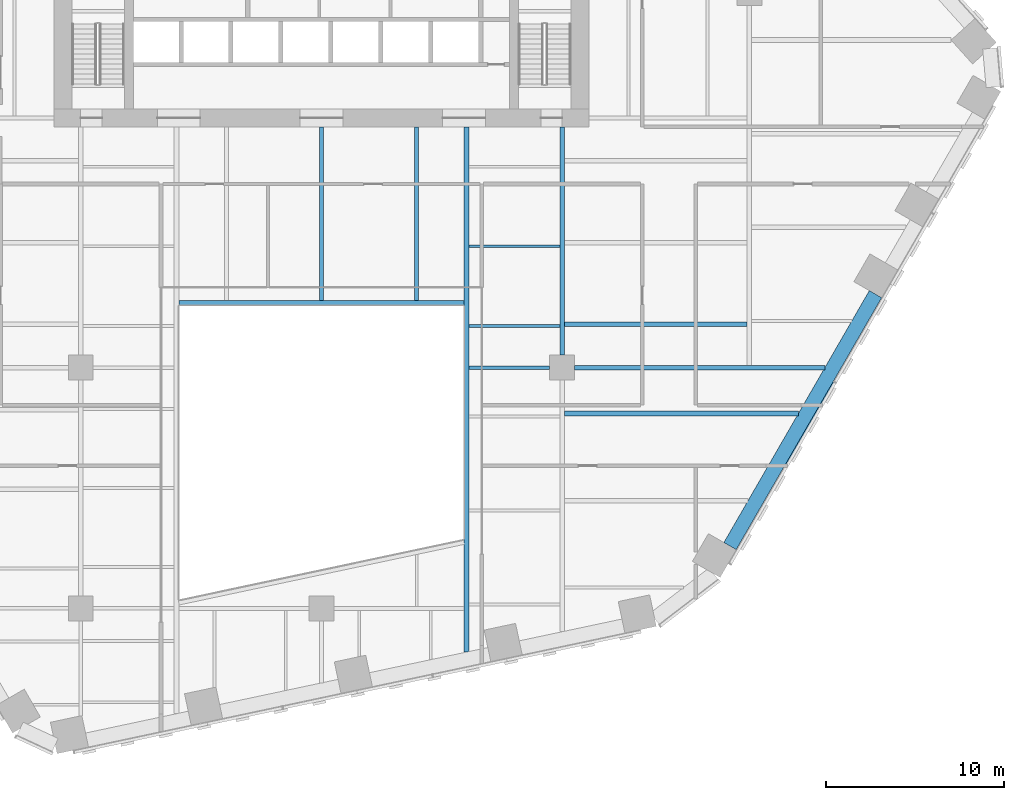
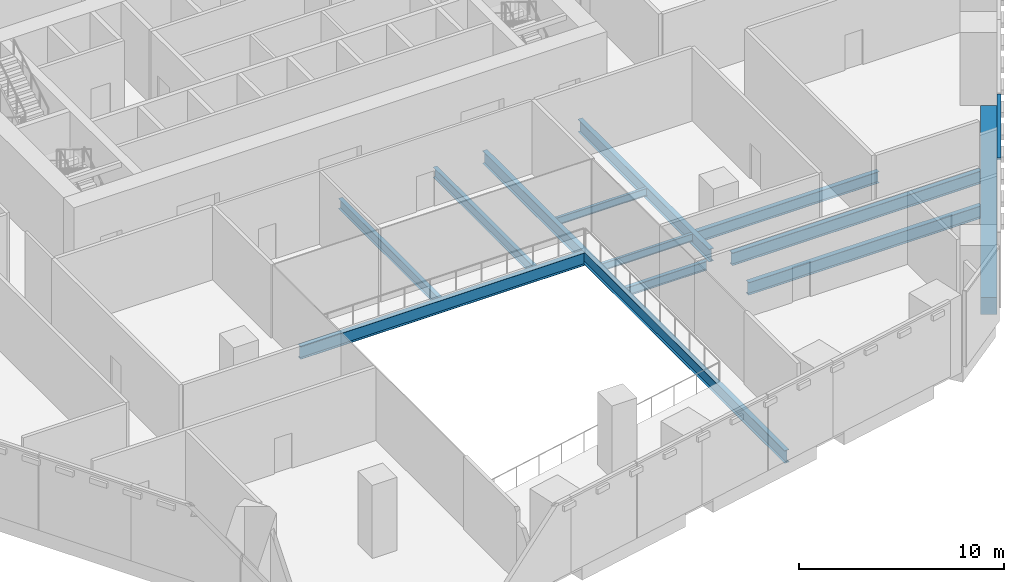
# One storey, part 6 of 19: 12 beams, 1 member, 1 element without a shape of its own.
"""IFC4 building model written with IfcOpenShell, lengths in metres."""

from ifc_helpers import new_model, si_unit, direction, frame, origin, origin_2d, place, context, subcontext, project, spatial, rectangle, i_section, extrude, material, layer, layer_set, material_profile, profile_set, type_object, element, aggregate, save


model = new_model("IFC4")

# Units and contexts
model_context = context("Model", 3, precision=1e-05, world=origin(), true_north=direction((0.0, 1.0)))
body_context = subcontext(model_context, "Body", "Model", "MODEL_VIEW")
ifc_project = project(units=[si_unit("LENGTHUNIT", "METRE"), si_unit("AREAUNIT", "SQUARE_METRE"), si_unit("VOLUMEUNIT", "CUBIC_METRE"), si_unit("PLANEANGLEUNIT", "RADIAN"), si_unit("MASSUNIT", "GRAM", prefix="KILO")], contexts=[model_context])

# Site, building, storey
site_placement = place(None, origin())
site = spatial("IfcSite", under=ifc_project, at=site_placement, CompositionType="ELEMENT")
building_placement = place(site_placement, origin())
building = spatial("IfcBuilding", under=site, at=building_placement, Name="Isthmus Gate Tower", CompositionType="ELEMENT")
storey_placement = place(building_placement, frame((0.0, 0.0, 76.14990234375)))
storey = spatial("IfcBuildingStorey", under=building, at=storey_placement, Name="L17", CompositionType="ELEMENT", Elevation=76.14990234375)

# Curtain wall, member
ifc_material_1 = material(Name="Aluminium, pale champagne anodised", Category="aluminium")
ifc_layer = layer(ifc_material_1, 0.199951171875)
ifc_layer_set = layer_set([ifc_layer], Name="CW-2 LOUVRE CURTAIN WALL 200 DEEP")
curtain_wall_type = type_object("IfcCurtainWallType", Name="CW-2 LOUVRE CURTAIN WALL 200 DEEP", PredefinedType="NOTDEFINED", material=ifc_layer_set)
curtain_wall_placement = place(storey_placement, origin())
curtain_wall = element("IfcCurtainWall", 1, at=curtain_wall_placement, inside=storey, type_object=curtain_wall_type, Name="CW-2 SE L17", PredefinedType="NOTDEFINED")
ifc_material_2 = material(Name="Aluminium, pale champagne anodised", Category="aluminium")
ifc_material_profile_1 = material_profile(ifc_material_2, rectangle(XDim=0.199951171875, YDim=0.1201171875, at=origin_2d()), Name="200x120")
ifc_profile_set_1 = profile_set([ifc_material_profile_1], Name="Aluminium, pale champagne anodised")
member_type = type_object("IfcMemberType", Name="CW-2 TRANSOM 200 X 120", PredefinedType="USERDEFINED", material=ifc_profile_set_1)
member_placement = place(storey_placement, frame((26.06787109375, -19.04931640625, 4.440185546875), z_axis=(0.499991872758, 0.866030095999, 0.0), x_axis=(-0.866030095999, 0.499991872758, 0.0)))
member = element("IfcMember", 2, at=member_placement, type_object=member_type, Name="CW-2 transom", ObjectType="TRANSOM", PredefinedType="USERDEFINED", context=body_context, shape_type="SweptSolid", body=[
    extrude(rectangle(XDim=0.199951171875, YDim=0.1201171875, at=origin_2d()), origin(), (0.0, 0.0, 1.0), 5.4384765625),
])
aggregate(curtain_wall, [member])

# Beams
ifc_material_3 = material(Name="Concrete f'c 70 MPa", Category="concrete")
ifc_material_profile_2 = material_profile(ifc_material_3, rectangle(XDim=0.800048828125, YDim=1.0, at=origin_2d()), Name="RC 800X1000")
ifc_profile_set_2 = profile_set([ifc_material_profile_2], Name="Concrete f'c 70 MPa")
beam_type_1 = type_object("IfcBeamType", Name="RC SPANDREL 800 X 1000", PredefinedType="SPANDREL", material=ifc_profile_set_2)
beam_1_placement = place(storey_placement, frame((31.0732421875, -9.37939453125, -0.5), z_axis=(-0.499991872758, -0.866030095999, 0.0), x_axis=(0.866030095999, -0.499991872758, 0.0)))
element("IfcBeam", 3, at=beam_1_placement, inside=storey, type_object=beam_type_1, Name="str-spandrel-L17-08", PredefinedType="SPANDREL", context=body_context, shape_type="SweptSolid", body=[
    extrude(rectangle(XDim=0.800048828125, YDim=1.0, at=origin_2d()), origin(), (0.0, 0.0, 1.0), 16.315673828125),
])
ifc_material_4 = material(Name="Structural steel ASTM A992 Gr 50", Category="steel")
ifc_material_profile_3 = material_profile(ifc_material_4, i_section(OverallWidth=0.15234375, OverallDepth=0.45068359375, WebThickness=0.0078125, FlangeThickness=0.010986328125, at=origin_2d()), Name="W18X35")
ifc_profile_set_3 = profile_set([ifc_material_profile_3], Name="Structural steel ASTM A992 Gr 50")
beam_type_2 = type_object("IfcBeamType", Name="STEEL FLOOR BEAM W18X35", PredefinedType="JOIST", material=ifc_profile_set_3)
for number, where, z_axis, x_axis, name in (
    (4, (8.263427734375, -11.16259765625, -0.525390625), (1.0, 0.0, 0.0), (0.0, 1.0, 0.0), "str-beam-L17-23-00"),
    (5, (8.263427734375, -6.697509765625, -0.525390625), (1.0, 0.0, 0.0), (0.0, 1.0, 0.0), "str-beam-L17-23-01"),
):
    element("IfcBeam", number, at=place(storey_placement, frame(where, z_axis=z_axis, x_axis=x_axis)), inside=storey, type_object=beam_type_2, Name=name, PredefinedType="JOIST", context=body_context, shape_type="SweptSolid", body=[
        extrude(i_section(OverallWidth=0.15234375, OverallDepth=0.45068359375, WebThickness=0.0078125, FlangeThickness=0.010986328125, at=origin_2d()), origin(), (0.0, 0.0, 1.0), 5.104736328125),
    ])
ifc_material_5 = material(Name="Structural steel ASTM A992 Gr 50", Category="steel")
ifc_material_profile_4 = material_profile(ifc_material_5, i_section(OverallWidth=0.228515625, OverallDepth=0.603271484375, WebThickness=0.010986328125, FlangeThickness=0.014404296875, at=origin_2d()), Name="W24X68")
ifc_profile_set_4 = profile_set([ifc_material_profile_4], Name="Structural steel ASTM A992 Gr 50")
beam_type_3 = type_object("IfcBeamType", Name="STEEL FLOOR BEAM W24X68", PredefinedType="JOIST", material=ifc_profile_set_4)
for number, where, z_axis, x_axis, name in (
    (6, (0.0, -9.7333984375, -0.6015625), (0.0, 1.0, 0.0), (-1.0, 0.0, 0.0), "str-beam-L17-16-01"),
    (7, (5.333251953125, -9.7333984375, -0.6015625), (0.0, 1.0, 0.0), (-1.0, 0.0, 0.0), "str-beam-L17-16-02"),
):
    element("IfcBeam", number, at=place(storey_placement, frame(where, z_axis=z_axis, x_axis=x_axis)), inside=storey, type_object=beam_type_3, Name=name, PredefinedType="JOIST", context=body_context, shape_type="SweptSolid", body=[
        extrude(i_section(OverallWidth=0.228515625, OverallDepth=0.603271484375, WebThickness=0.010986328125, FlangeThickness=0.014404296875, at=origin_2d()), origin(), (0.0, 0.0, 1.0), 9.7333984375),
    ])
ifc_material_6 = material(Name="Structural steel ASTM A992 Gr 50", Category="steel")
ifc_material_profile_5 = material_profile(ifc_material_6, i_section(OverallWidth=0.25390625, OverallDepth=0.679443359375, WebThickness=0.010986328125, FlangeThickness=0.015869140625, at=origin_2d()), Name="W27X84")
ifc_profile_set_5 = profile_set([ifc_material_profile_5], Name="Structural steel ASTM A992 Gr 50")
beam_type_4 = type_object("IfcBeamType", Name="STEEL FLOOR BEAM W27X84", PredefinedType="JOIST", material=ifc_profile_set_5)
beam_2_placement = place(storey_placement, frame((13.6318359375, -11.07470703125, -0.6396484375), z_axis=(1.0, 0.0, 0.0), x_axis=(0.0, 1.0, 0.0)))
element("IfcBeam", 8, at=beam_2_placement, inside=storey, type_object=beam_type_4, Name="str-beam-L17-27-00", PredefinedType="JOIST", context=body_context, shape_type="SweptSolid", body=[
    extrude(i_section(OverallWidth=0.25390625, OverallDepth=0.679443359375, WebThickness=0.010986328125, FlangeThickness=0.015869140625, at=origin_2d()), origin(), (0.0, 0.0, 1.0), 10.23486328125),
])
ifc_material_7 = material(Name="Structural steel ASTM A992 Gr 50", Category="steel")
ifc_material_profile_6 = material_profile(ifc_material_7, i_section(OverallWidth=0.263427734375, OverallDepth=0.749267578125, WebThickness=0.0126953125, FlangeThickness=0.015869140625, at=origin_2d()), Name="W30X90")
ifc_profile_set_6 = profile_set([ifc_material_profile_6], Name="Structural steel ASTM A992 Gr 50")
beam_type_5 = type_object("IfcBeamType", Name="STEEL FLOOR BEAM W30X90", PredefinedType="JOIST", material=ifc_profile_set_6)
beam_3_placement = place(storey_placement, frame((13.63330078125, -16.0751953125, -0.674560546875), z_axis=(1.0, 0.0, 0.0), x_axis=(0.0, 1.0, 0.0)))
element("IfcBeam", 9, at=beam_3_placement, inside=storey, type_object=beam_type_5, Name="str-beam-L17-28-02", PredefinedType="JOIST", context=body_context, shape_type="SweptSolid", body=[
    extrude(i_section(OverallWidth=0.263427734375, OverallDepth=0.749267578125, WebThickness=0.0126953125, FlangeThickness=0.015869140625, at=origin_2d()), origin(), (0.0, 0.0, 1.0), 13.1123046875),
])
ifc_material_8 = material(Name="Structural steel ASTM A992 Gr 50", Category="steel")
ifc_material_profile_7 = material_profile(ifc_material_8, i_section(OverallWidth=0.20947265625, OverallDepth=0.533447265625, WebThickness=0.009521484375, FlangeThickness=0.015869140625, at=origin_2d()), Name="W21X62")
ifc_profile_set_7 = profile_set([ifc_material_profile_7], Name="Structural steel ASTM A992 Gr 50")
beam_type_6 = type_object("IfcBeamType", Name="STEEL GIRDER W21X62", PredefinedType="BEAM", material=ifc_profile_set_7)
beam_4_placement = place(storey_placement, frame((8.263427734375, -13.5, -0.566650390625), z_axis=(1.0, 0.0, 0.0), x_axis=(0.0, 1.0, 0.0)))
element("IfcBeam", 10, at=beam_4_placement, inside=storey, type_object=beam_type_6, Name="str-girder-L17-07", PredefinedType="BEAM", context=body_context, shape_type="SweptSolid", body=[
    extrude(i_section(OverallWidth=0.20947265625, OverallDepth=0.533447265625, WebThickness=0.009521484375, FlangeThickness=0.015869140625, at=origin_2d()), origin(), (0.0, 0.0, 1.0), 4.53662109375),
])
ifc_material_9 = material(Name="Structural steel ASTM A992 Gr 50", Category="steel")
ifc_material_profile_8 = material_profile(ifc_material_9, i_section(OverallWidth=0.2666015625, OverallDepth=0.7587890625, WebThickness=0.014404296875, FlangeThickness=0.01904296875, at=origin_2d()), Name="W30X108")
ifc_profile_set_8 = profile_set([ifc_material_profile_8], Name="Structural steel ASTM A992 Gr 50")
beam_type_7 = type_object("IfcBeamType", Name="STEEL GIRDER W30X108", PredefinedType="BEAM", material=ifc_profile_set_8)
beam_5_placement = place(storey_placement, frame((14.199951171875, -13.5, -0.67919921875), z_axis=(1.0, 0.0, 0.0), x_axis=(0.0, 1.0, 0.0)))
element("IfcBeam", 11, at=beam_5_placement, inside=storey, type_object=beam_type_7, Name="str-girder-L17-08", PredefinedType="BEAM", context=body_context, shape_type="SweptSolid", body=[
    extrude(i_section(OverallWidth=0.2666015625, OverallDepth=0.7587890625, WebThickness=0.014404296875, FlangeThickness=0.01904296875, at=origin_2d()), origin(), (0.0, 0.0, 1.0), 14.032470703125),
])
ifc_material_10 = material(Name="Structural steel ASTM A992 Gr 50", Category="steel")
ifc_material_profile_9 = material_profile(ifc_material_10, i_section(OverallWidth=0.263427734375, OverallDepth=0.749267578125, WebThickness=0.0126953125, FlangeThickness=0.015869140625, at=origin_2d()), Name="W30X90")
ifc_profile_set_9 = profile_set([ifc_material_profile_9], Name="Structural steel ASTM A992 Gr 50")
beam_type_8 = type_object("IfcBeamType", Name="STEEL GIRDER W30X90", PredefinedType="BEAM", material=ifc_profile_set_9)
beam_6_placement = place(storey_placement, frame((13.5, -12.800048828125, -0.674560546875), z_axis=(0.0, 1.0, 0.0), x_axis=(-1.0, 0.0, 0.0)))
element("IfcBeam", 12, at=beam_6_placement, inside=storey, type_object=beam_type_8, Name="str-girder-L17-32", PredefinedType="BEAM", context=body_context, shape_type="SweptSolid", body=[
    extrude(i_section(OverallWidth=0.263427734375, OverallDepth=0.749267578125, WebThickness=0.0126953125, FlangeThickness=0.015869140625, at=origin_2d()), origin(), (0.0, 0.0, 1.0), 12.800048828125),
])
ifc_material_11 = material(Name="Structural steel ASTM A992 Gr 50", Category="steel")
ifc_material_profile_10 = material_profile(ifc_material_11, i_section(OverallWidth=0.2666015625, OverallDepth=0.7587890625, WebThickness=0.014404296875, FlangeThickness=0.01904296875, at=origin_2d()), Name="W30X108")
ifc_profile_set_10 = profile_set([ifc_material_profile_10], Name="Structural steel ASTM A992 Gr 50")
beam_type_9 = type_object("IfcBeamType", Name="STEEL TRIMMER W30X108", PredefinedType="BEAM", material=ifc_profile_set_10)
beam_7_placement = place(storey_placement, frame((8.0, -9.86669921875, -0.67919921875), z_axis=(-1.0, 0.0, 0.0), x_axis=(0.0, -1.0, 0.0)))
element("IfcBeam", 13, at=beam_7_placement, inside=storey, type_object=beam_type_9, Name="str-trimmer-L17-04", PredefinedType="BEAM", context=body_context, shape_type="SweptSolid", body=[
    extrude(i_section(OverallWidth=0.2666015625, OverallDepth=0.7587890625, WebThickness=0.014404296875, FlangeThickness=0.01904296875, at=origin_2d()), origin(), (0.0, 0.0, 1.0), 16.0),
])
ifc_material_12 = material(Name="Structural steel ASTM A992 Gr 50", Category="steel")
ifc_material_profile_11 = material_profile(ifc_material_12, i_section(OverallWidth=0.263427734375, OverallDepth=0.749267578125, WebThickness=0.0126953125, FlangeThickness=0.015869140625, at=origin_2d()), Name="W30X90")
ifc_profile_set_11 = profile_set([ifc_material_profile_11], Name="Structural steel ASTM A992 Gr 50")
beam_type_10 = type_object("IfcBeamType", Name="STEEL TRIMMER W30X90", PredefinedType="BEAM", material=ifc_profile_set_11)
beam_8_placement = place(storey_placement, frame((8.1318359375, -29.45361328125, -0.674560546875), z_axis=(0.0, 1.0, 0.0), x_axis=(-1.0, 0.0, 0.0)))
element("IfcBeam", 14, at=beam_8_placement, inside=storey, type_object=beam_type_10, Name="str-trimmer-L17-01", PredefinedType="BEAM", context=body_context, shape_type="SweptSolid", body=[
    extrude(i_section(OverallWidth=0.263427734375, OverallDepth=0.749267578125, WebThickness=0.0126953125, FlangeThickness=0.015869140625, at=origin_2d()), origin(), (0.0, 0.0, 1.0), 29.45361328125),
])

save(model, "model.ifc")
